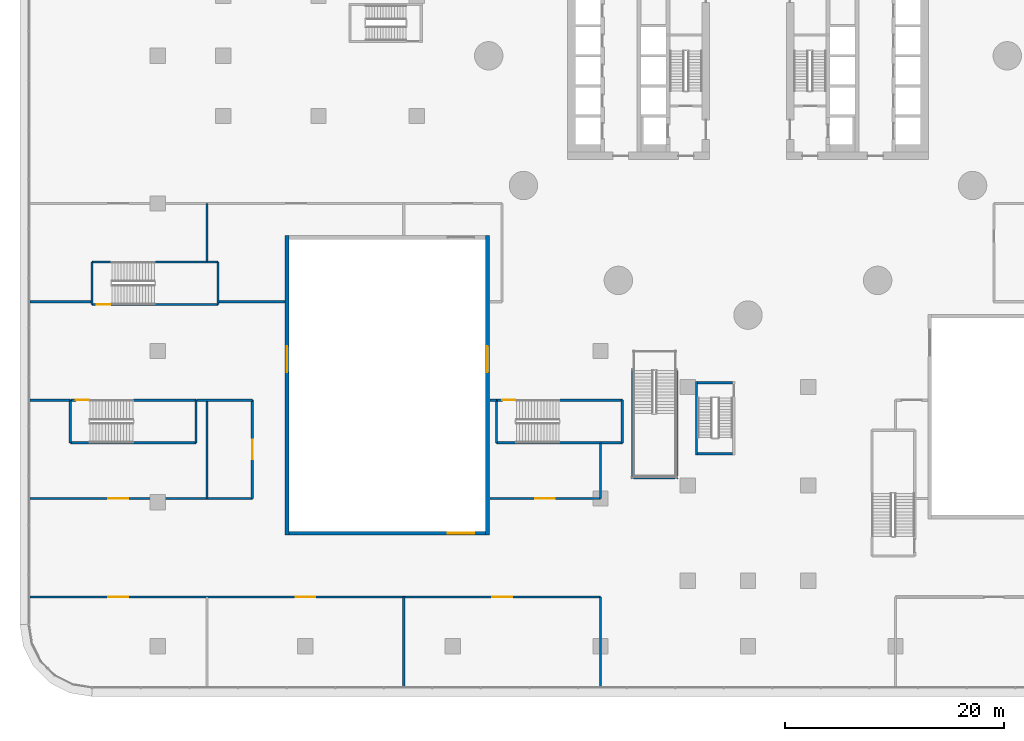
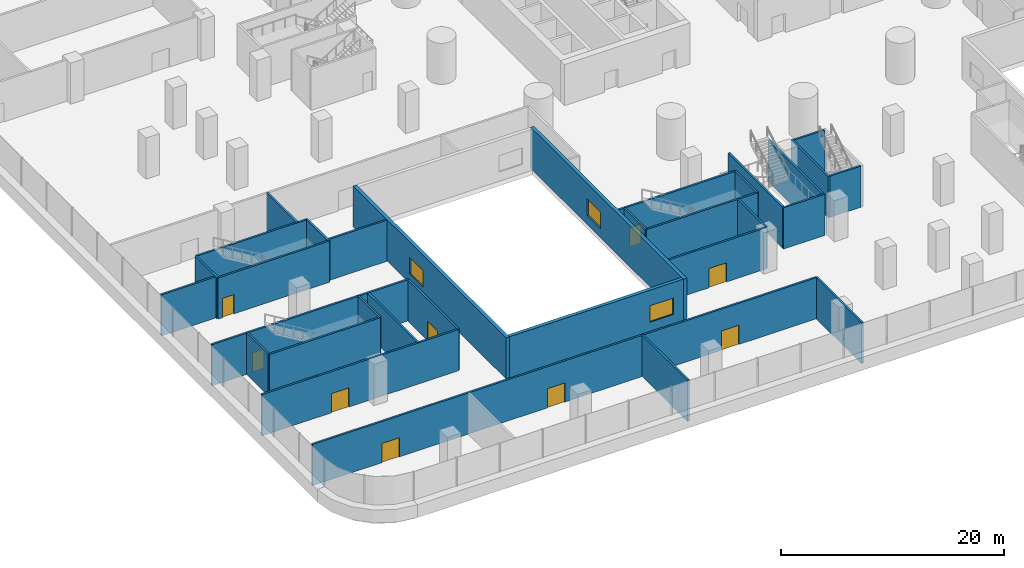
# One storey, part 24 of 44: 35 walls, 9 doors, 3 windows, 12 openings.
"""IFC4 building model written with IfcOpenShell, lengths in metres."""

from ifc_helpers import new_model, si_unit, direction, frame, frame_2d, origin, place, context, subcontext, project, spatial, polyline, rectangle, outline, extrude, material, layer, layer_set, type_object, element, fill, save


model = new_model("IFC4")

# Units and contexts
model_context = context("Model", 3, precision=1e-05, world=origin(), true_north=direction((0.0, 1.0)))
body_context = subcontext(model_context, "Body", "Model", "MODEL_VIEW")
ifc_project = project(units=[si_unit("LENGTHUNIT", "METRE"), si_unit("AREAUNIT", "SQUARE_METRE"), si_unit("VOLUMEUNIT", "CUBIC_METRE"), si_unit("PLANEANGLEUNIT", "RADIAN"), si_unit("MASSUNIT", "GRAM", prefix="KILO")], contexts=[model_context])

# Site, building, storey
site_placement = place(None, origin())
site = spatial("IfcSite", under=ifc_project, at=site_placement, CompositionType="ELEMENT")
building_placement = place(site_placement, origin())
building = spatial("IfcBuilding", under=site, at=building_placement, Name="Tamarind Cross Interchange Tower", CompositionType="ELEMENT")
storey_placement = place(building_placement, frame((0.0, 0.0, 15.0)))
storey = spatial("IfcBuildingStorey", under=building, at=storey_placement, Name="L02", CompositionType="ELEMENT", Elevation=15.0)

# Wall, openings, doors
ifc_material_1 = material(Name="Masonry partition, fire-rated", Category="masonry")
ifc_layer_1 = layer(ifc_material_1, 0.199951171875)
ifc_layer_set_1 = layer_set([ifc_layer_1], Name="Masonry partition, fire-rated")
wall_type_1 = type_object("IfcWallType", Name="Fire partition 200 EI 120", PredefinedType="PARTITIONING", material=ifc_layer_set_1)
wall_1_placement = place(storey_placement, frame((-65.698974609375, -49.5, 0.0), z_axis=(0.0, 0.0, 1.0), x_axis=(1.0, 0.0, 0.0)))
wall_1 = element("IfcWall", 1, at=wall_1_placement, inside=storey, type_object=wall_type_1, Name="L02 partition 49", PredefinedType="PARTITIONING", context=body_context, shape_type="SweptSolid", body=[
    extrude(rectangle(XDim=52.198974609375, YDim=0.199951171875, at=frame_2d((26.099609375, 0.0))), origin(), (0.0, 0.0, 1.0), 4.5),
])
opening_1_placement = place(wall_1_placement, frame((42.30908203125, 0.0, 0.0)))
opening_1 = element("IfcOpeningElement", 2, at=opening_1_placement, cuts=wall_1, Name="Opening DL02-36", PredefinedType="OPENING", context=body_context, shape_type="SweptSolid", body=[
    extrude(rectangle(XDim=1.800048828125, YDim=2.10009765625, at=frame_2d((0.89990234375, 1.050048828125))), frame((0.0, 0.10986328125, 0.0), z_axis=(0.0, -1.0, 0.0), x_axis=(1.0, 0.0, 0.0)), (0.0, 0.0, 1.0), 0.219970703125),
])
opening_2_placement = place(wall_1_placement, frame((24.30908203125, 0.0, 0.0)))
opening_2 = element("IfcOpeningElement", 3, at=opening_2_placement, cuts=wall_1, Name="Opening DL02-37", PredefinedType="OPENING", context=body_context, shape_type="SweptSolid", body=[
    extrude(rectangle(XDim=1.800048828125, YDim=2.10009765625, at=frame_2d((0.89990234375, 1.050048828125))), frame((0.0, 0.10986328125, 0.0), z_axis=(0.0, -1.0, 0.0), x_axis=(1.0, 0.0, 0.0)), (0.0, 0.0, 1.0), 0.219970703125),
])
opening_3_placement = place(wall_1_placement, frame((7.18896484375, 0.0, 0.0)))
opening_3 = element("IfcOpeningElement", 4, at=opening_3_placement, cuts=wall_1, Name="Opening DL02-38", PredefinedType="OPENING", context=body_context, shape_type="SweptSolid", body=[
    extrude(rectangle(XDim=1.800048828125, YDim=2.10009765625, at=frame_2d((0.89990234375, 1.050048828125))), frame((0.0, 0.10986328125, 0.0), z_axis=(0.0, -1.0, 0.0), x_axis=(1.0, 0.0, 0.0)), (0.0, 0.0, 1.0), 0.219970703125),
])
ifc_material_2 = material(Name="Steel, fire-resisting", Category="steel")
door_type_1 = type_object("IfcDoorType", Name="Podium door 1800 x 2100 FD60", OperationType="SINGLE_SWING_LEFT", PredefinedType="DOOR", material=ifc_material_2)
door_1_placement = place(opening_1_placement, origin())
door_1 = element("IfcDoor", 5, at=door_1_placement, inside=storey, type_object=door_type_1, Name="L02 door Restaurant 0222", OperationType="SINGLE_SWING_RIGHT", OverallHeight=2.10009765625, OverallWidth=1.800048828125, PredefinedType="DOOR", context=body_context, shape_type="SweptSolid", body=[
    extrude(rectangle(XDim=1.800048828125, YDim=2.10009765625, at=frame_2d((0.89990234375, 1.050048828125))), frame((0.0, 0.02490234375, 0.0), z_axis=(0.0, -1.0, 0.0), x_axis=(1.0, 0.0, 0.0)), (0.0, 0.0, 1.0), 0.050048828125),
])
fill(opening_1, door_1)
door_2_placement = place(opening_2_placement, origin())
door_2 = element("IfcDoor", 6, at=door_2_placement, inside=storey, type_object=door_type_1, Name="L02 door Tea House 0223", OperationType="SINGLE_SWING_LEFT", OverallHeight=2.10009765625, OverallWidth=1.800048828125, PredefinedType="DOOR", context=body_context, shape_type="SweptSolid", body=[
    extrude(rectangle(XDim=1.800048828125, YDim=2.10009765625, at=frame_2d((0.89990234375, 1.050048828125))), frame((0.0, 0.02490234375, 0.0), z_axis=(0.0, -1.0, 0.0), x_axis=(1.0, 0.0, 0.0)), (0.0, 0.0, 1.0), 0.050048828125),
])
fill(opening_2, door_2)
door_3_placement = place(opening_3_placement, origin())
door_3 = element("IfcDoor", 7, at=door_3_placement, inside=storey, type_object=door_type_1, Name="L02 door Juice Bar 0224", OperationType="SINGLE_SWING_RIGHT", OverallHeight=2.10009765625, OverallWidth=1.800048828125, PredefinedType="DOOR", context=body_context, shape_type="SweptSolid", body=[
    extrude(rectangle(XDim=1.800048828125, YDim=2.10009765625, at=frame_2d((0.89990234375, 1.050048828125))), frame((0.0, 0.02490234375, 0.0), z_axis=(0.0, -1.0, 0.0), x_axis=(1.0, 0.0, 0.0)), (0.0, 0.0, 1.0), 0.050048828125),
])
fill(opening_3, door_3)

# Wall, opening, door
wall_2_placement = place(storey_placement, frame((-65.698974609375, -40.5, 0.0), z_axis=(0.0, 0.0, 1.0), x_axis=(1.0, 0.0, 0.0)))
wall_2 = element("IfcWall", 8, at=wall_2_placement, inside=storey, type_object=wall_type_1, Name="L02 partition 50", PredefinedType="PARTITIONING", context=body_context, shape_type="SweptSolid", body=[
    extrude(rectangle(XDim=20.348876953125, YDim=0.199951171875, at=frame_2d((10.17431640625, 0.0))), origin(), (0.0, 0.0, 1.0), 4.5),
])
opening_4_placement = place(wall_2_placement, frame((7.18896484375, 0.0, 0.0)))
opening_4 = element("IfcOpeningElement", 9, at=opening_4_placement, cuts=wall_2, Name="Opening DL02-35", PredefinedType="OPENING", context=body_context, shape_type="SweptSolid", body=[
    extrude(rectangle(XDim=1.800048828125, YDim=2.10009765625, at=frame_2d((0.89990234375, 1.050048828125))), frame((0.0, 0.10986328125, 0.0), z_axis=(0.0, -1.0, 0.0), x_axis=(1.0, 0.0, 0.0)), (0.0, 0.0, 1.0), 0.219970703125),
])
door_4_placement = place(opening_4_placement, origin())
door_4 = element("IfcDoor", 10, at=door_4_placement, inside=storey, type_object=door_type_1, Name="L02 door Noodle Bar 0221", OperationType="SINGLE_SWING_LEFT", OverallHeight=2.10009765625, OverallWidth=1.800048828125, PredefinedType="DOOR", context=body_context, shape_type="SweptSolid", body=[
    extrude(rectangle(XDim=1.800048828125, YDim=2.10009765625, at=frame_2d((0.89990234375, 1.050048828125))), frame((0.0, 0.02490234375, 0.0), z_axis=(0.0, -1.0, 0.0), x_axis=(1.0, 0.0, 0.0)), (0.0, 0.0, 1.0), 0.050048828125),
])
fill(opening_4, door_4)

# Walls
wall_3_placement = place(storey_placement, frame((-65.698974609375, -31.5, 0.0), z_axis=(0.0, 0.0, 1.0), x_axis=(1.0, 0.0, 0.0)))
element("IfcWall", 11, at=wall_3_placement, inside=storey, type_object=wall_type_1, Name="L02 partition 51", PredefinedType="PARTITIONING", context=body_context, shape_type="SweptSolid", body=[
    extrude(rectangle(XDim=3.6689453125, YDim=0.199951171875, at=frame_2d((1.83447265625, 0.0))), origin(), (0.0, 0.0, 1.0), 4.5),
])
wall_4_placement = place(storey_placement, frame((-65.698974609375, -22.5, 0.0), z_axis=(0.0, 0.0, 1.0), x_axis=(1.0, 0.0, 0.0)))
element("IfcWall", 12, at=wall_4_placement, inside=storey, type_object=wall_type_1, Name="L02 partition 52", PredefinedType="PARTITIONING", context=body_context, shape_type="SweptSolid", body=[
    extrude(rectangle(XDim=5.6689453125, YDim=0.199951171875, at=frame_2d((2.83447265625, 0.0))), origin(), (0.0, 0.0, 1.0), 4.5),
])
wall_5_placement = place(storey_placement, frame((-50.469970703125, -31.5, 0.0), z_axis=(0.0, 0.0, 1.0), x_axis=(1.0, 0.0, 0.0)))
element("IfcWall", 13, at=wall_5_placement, inside=storey, type_object=wall_type_1, Name="L02 partition 62", PredefinedType="PARTITIONING", context=body_context, shape_type="SweptSolid", body=[
    extrude(rectangle(XDim=5.119873046875, YDim=0.199951171875, at=frame_2d((2.56005859375, 0.0))), origin(), (0.0, 0.0, 1.0), 4.5),
])

# Wall, opening, door
wall_6_placement = place(storey_placement, frame((-45.35009765625, -40.5, 0.0), z_axis=(0.0, 0.0, 1.0), x_axis=(0.0, 1.0, 0.0)))
wall_6 = element("IfcWall", 14, at=wall_6_placement, inside=storey, type_object=wall_type_1, Name="L02 partition 64", PredefinedType="PARTITIONING", context=body_context, shape_type="SweptSolid", body=[
    extrude(rectangle(XDim=9.0, YDim=0.199951171875, at=frame_2d((4.5, 0.0))), origin(), (0.0, 0.0, 1.0), 4.5),
])
opening_5_placement = place(wall_6_placement, frame((3.60009765625, 0.0, 0.0)))
opening_5 = element("IfcOpeningElement", 15, at=opening_5_placement, cuts=wall_6, Name="Opening DL02-39", PredefinedType="OPENING", context=body_context, shape_type="SweptSolid", body=[
    extrude(rectangle(XDim=1.800048828125, YDim=2.10009765625, at=frame_2d((0.89990234375, 1.050048828125))), frame((0.0, 0.10986328125, 0.0), z_axis=(0.0, -1.0, 0.0), x_axis=(1.0, 0.0, 0.0)), (0.0, 0.0, 1.0), 0.219970703125),
])
door_type_2 = type_object("IfcDoorType", Name="Podium door 1800 x 2100 FD90", OperationType="SINGLE_SWING_LEFT", PredefinedType="DOOR", material=ifc_material_2)
door_5_placement = place(opening_5_placement, origin())
door_5 = element("IfcDoor", 16, at=door_5_placement, inside=storey, type_object=door_type_2, Name="L02 door Food Hall Kitchen 0220", OperationType="SINGLE_SWING_LEFT", OverallHeight=2.10009765625, OverallWidth=1.800048828125, PredefinedType="DOOR", context=body_context, shape_type="SweptSolid", body=[
    extrude(rectangle(XDim=1.800048828125, YDim=2.10009765625, at=frame_2d((0.89990234375, 1.050048828125))), frame((0.0, 0.02490234375, 0.0), z_axis=(0.0, -1.0, 0.0), x_axis=(1.0, 0.0, 0.0)), (0.0, 0.0, 1.0), 0.050048828125),
])
fill(opening_5, door_5)

# Walls
wall_7_placement = place(storey_placement, frame((-49.5, -40.5, 0.0), z_axis=(0.0, 0.0, 1.0), x_axis=(0.0, 1.0, 0.0)))
element("IfcWall", 17, at=wall_7_placement, inside=storey, type_object=wall_type_1, Name="L02 partition 65", PredefinedType="PARTITIONING", context=body_context, shape_type="SweptSolid", body=[
    extrude(rectangle(XDim=9.0, YDim=0.199951171875, at=frame_2d((4.5, 0.0))), origin(), (0.0, 0.0, 1.0), 4.5),
])
wall_8_placement = place(storey_placement, frame((-49.5, -18.820068359375, 0.0), z_axis=(0.0, 0.0, 1.0), x_axis=(0.0, 1.0, 0.0)))
element("IfcWall", 18, at=wall_8_placement, inside=storey, type_object=wall_type_1, Name="L02 partition 66", PredefinedType="PARTITIONING", context=body_context, shape_type="SweptSolid", body=[
    extrude(rectangle(XDim=5.320068359375, YDim=0.199951171875, at=frame_2d((2.66015625, 0.0))), origin(), (0.0, 0.0, 1.0), 4.5),
])
wall_9_placement = place(storey_placement, frame((-48.469970703125, -22.5, 0.0), z_axis=(0.0, 0.0, 1.0), x_axis=(1.0, 0.0, 0.0)))
element("IfcWall", 19, at=wall_9_placement, inside=storey, type_object=wall_type_1, Name="L02 partition 67", PredefinedType="PARTITIONING", context=body_context, shape_type="SweptSolid", body=[
    extrude(rectangle(XDim=6.090087890625, YDim=0.199951171875, at=frame_2d((3.044921875, 0.0))), origin(), (0.0, 0.0, 1.0), 4.5),
])
for number, where, z_axis, x_axis, name in (
    (20, (-31.5, -57.698974609375, 0.0), (0.0, 0.0, 1.0), (0.0, 1.0, 0.0), "L02 partition 70"),
    (21, (-13.5, -57.698974609375, 0.0), (0.0, 0.0, 1.0), (0.0, 1.0, 0.0), "L02 partition 71"),
):
    element("IfcWall", number, at=place(storey_placement, frame(where, z_axis=z_axis, x_axis=x_axis)), inside=storey, type_object=wall_type_1, Name=name, PredefinedType="PARTITIONING", context=body_context, shape_type="SweptSolid", body=[
        extrude(rectangle(XDim=8.198974609375, YDim=0.199951171875, at=frame_2d((4.099609375, 0.0))), origin(), (0.0, 0.0, 1.0), 4.5),
    ])
wall_10_placement = place(storey_placement, frame((-13.5, -40.5, 0.0), z_axis=(0.0, 0.0, 1.0), x_axis=(0.0, 1.0, 0.0)))
element("IfcWall", 22, at=wall_10_placement, inside=storey, type_object=wall_type_1, Name="L02 partition 81", PredefinedType="PARTITIONING", context=body_context, shape_type="SweptSolid", body=[
    extrude(rectangle(XDim=5.070068359375, YDim=0.199951171875, at=frame_2d((2.53515625, 0.0))), origin(), (0.0, 0.0, 1.0), 4.5),
])

# Wall, opening, door
wall_11_placement = place(storey_placement, frame((-23.6201171875, -40.5, 0.0), z_axis=(0.0, 0.0, 1.0), x_axis=(1.0, 0.0, 0.0)))
wall_11 = element("IfcWall", 23, at=wall_11_placement, inside=storey, type_object=wall_type_1, Name="L02 partition 82", PredefinedType="PARTITIONING", context=body_context, shape_type="SweptSolid", body=[
    extrude(rectangle(XDim=10.1201171875, YDim=0.199951171875, at=frame_2d((5.06005859375, 0.0))), origin(), (0.0, 0.0, 1.0), 4.5),
])
opening_6_placement = place(wall_11_placement, frame((4.14501953125, 0.0, 0.0)))
opening_6 = element("IfcOpeningElement", 24, at=opening_6_placement, cuts=wall_11, Name="Opening DL02-34", PredefinedType="OPENING", context=body_context, shape_type="SweptSolid", body=[
    extrude(rectangle(XDim=1.800048828125, YDim=2.10009765625, at=frame_2d((0.89990234375, 1.050048828125))), frame((0.0, 0.10986328125, 0.0), z_axis=(0.0, -1.0, 0.0), x_axis=(1.0, 0.0, 0.0)), (0.0, 0.0, 1.0), 0.219970703125),
])
door_6_placement = place(opening_6_placement, origin())
door_6 = element("IfcDoor", 25, at=door_6_placement, inside=storey, type_object=door_type_1, Name="L02 door Dumpling Restaurant 0219", OperationType="SINGLE_SWING_RIGHT", OverallHeight=2.10009765625, OverallWidth=1.800048828125, PredefinedType="DOOR", context=body_context, shape_type="SweptSolid", body=[
    extrude(rectangle(XDim=1.800048828125, YDim=2.10009765625, at=frame_2d((0.89990234375, 1.050048828125))), frame((0.0, 0.02490234375, 0.0), z_axis=(0.0, -1.0, 0.0), x_axis=(1.0, 0.0, 0.0)), (0.0, 0.0, 1.0), 0.050048828125),
])
fill(opening_6, door_6)

# Wall
wall_12_placement = place(storey_placement, frame((-23.6201171875, -31.5, 0.0), z_axis=(0.0, 0.0, 1.0), x_axis=(1.0, 0.0, 0.0)))
element("IfcWall", 26, at=wall_12_placement, inside=storey, type_object=wall_type_1, Name="L02 partition 83", PredefinedType="PARTITIONING", context=body_context, shape_type="SweptSolid", body=[
    extrude(rectangle(XDim=0.590087890625, YDim=0.199951171875, at=frame_2d((0.294921875, 0.0))), origin(), (0.0, 0.0, 1.0), 4.5),
])

# Wall, opening, window
ifc_material_3 = material(Name="Precast concrete C40", Category="concrete")
ifc_layer_2 = layer(ifc_material_3, 0.35009765625)
ifc_layer_set_2 = layer_set([ifc_layer_2], Name="Precast concrete C40")
wall_type_2 = type_object("IfcWallType", Name="Podium facade wall", PredefinedType="SOLIDWALL", material=ifc_layer_set_2)
wall_13_placement = place(storey_placement, frame((-42.0, -43.675048828125, 0.0), z_axis=(0.0, 0.0, 1.0), x_axis=(1.0, 0.0, 0.0)))
wall_13 = element("IfcWall", 27, at=wall_13_placement, inside=storey, type_object=wall_type_2, Name="CTW-L02-SWS00", PredefinedType="SOLIDWALL", context=body_context, shape_type="SweptSolid", body=[
    extrude(rectangle(XDim=18.0, YDim=0.35009765625, at=frame_2d((9.0, 0.0))), origin(), (0.0, 0.0, 1.0), 4.5),
])
opening_7_placement = place(wall_13_placement, frame((14.550048828125, 0.0, 1.0)))
opening_7 = element("IfcOpeningElement", 28, at=opening_7_placement, cuts=wall_13, Name="Opening W4", PredefinedType="OPENING", context=body_context, shape_type="SweptSolid", body=[
    extrude(rectangle(XDim=2.39990234375, YDim=1.800048828125, at=frame_2d((1.199951171875, 0.89990234375))), frame((0.0, 0.18505859375, 0.0), z_axis=(0.0, -1.0, 0.0), x_axis=(1.0, 0.0, 0.0)), (0.0, 0.0, 1.0), 0.3701171875),
])
ifc_material_4 = material(Name="Aluminium and toughened glass", Category="aluminium")
window_type = type_object("IfcWindowType", Name="Podium daylight window", PartitioningType="SINGLE_PANEL", PredefinedType="WINDOW", material=ifc_material_4)
window_1_placement = place(opening_7_placement, origin())
window_1 = element("IfcWindow", 29, at=window_1_placement, inside=storey, type_object=window_type, Name="CTX-L02-SWS-01-00", OverallHeight=1.800048828125, OverallWidth=2.39990234375, PartitioningType="SINGLE_PANEL", PredefinedType="WINDOW", context=body_context, shape_type="SweptSolid", body=[
    extrude(rectangle(XDim=2.39990234375, YDim=1.800048828125, at=frame_2d((1.199951171875, 0.89990234375))), frame((0.0, 0.030029296875, 0.0), z_axis=(0.0, -1.0, 0.0), x_axis=(1.0, 0.0, 0.0)), (0.0, 0.0, 1.0), 0.06005859375),
])
fill(opening_7, window_1)

wall_14_placement = place(storey_placement, frame((-42.175048828125, -43.85009765625, 0.0), z_axis=(0.0, 0.0, 1.0), x_axis=(0.0, 1.0, 0.0)))
wall_14 = element("IfcWall", 30, at=wall_14_placement, inside=storey, type_object=wall_type_2, Name="CTW-L02-SWW00", PredefinedType="SOLIDWALL", context=body_context, shape_type="SweptSolid", body=[
    extrude(rectangle(XDim=27.400146484375, YDim=0.35009765625, at=frame_2d((13.7001953125, 0.0))), origin(), (0.0, 0.0, 1.0), 4.5),
])
opening_8_placement = place(wall_14_placement, frame((14.89990234375, 0.0, 1.0)))
opening_8 = element("IfcOpeningElement", 31, at=opening_8_placement, cuts=wall_14, Name="Opening W4", PredefinedType="OPENING", context=body_context, shape_type="SweptSolid", body=[
    extrude(rectangle(XDim=2.39990234375, YDim=1.800048828125, at=frame_2d((1.199951171875, 0.89990234375))), frame((0.0, 0.18505859375, 0.0), z_axis=(0.0, -1.0, 0.0), x_axis=(1.0, 0.0, 0.0)), (0.0, 0.0, 1.0), 0.3701171875),
])
window_2_placement = place(opening_8_placement, origin())
window_2 = element("IfcWindow", 32, at=window_2_placement, inside=storey, type_object=window_type, Name="CTX-L02-SWW-01-00", OverallHeight=1.800048828125, OverallWidth=2.39990234375, PartitioningType="SINGLE_PANEL", PredefinedType="WINDOW", context=body_context, shape_type="SweptSolid", body=[
    extrude(rectangle(XDim=2.39990234375, YDim=1.800048828125, at=frame_2d((1.199951171875, 0.89990234375))), frame((0.0, 0.030029296875, 0.0), z_axis=(0.0, -1.0, 0.0), x_axis=(1.0, 0.0, 0.0)), (0.0, 0.0, 1.0), 0.06005859375),
])
fill(opening_8, window_2)

wall_15_placement = place(storey_placement, frame((-23.824951171875, -43.85009765625, 0.0), z_axis=(0.0, 0.0, 1.0), x_axis=(0.0, 1.0, 0.0)))
wall_15 = element("IfcWall", 33, at=wall_15_placement, inside=storey, type_object=wall_type_2, Name="CTW-L02-SWE00", PredefinedType="SOLIDWALL", context=body_context, shape_type="SweptSolid", body=[
    extrude(rectangle(XDim=27.400146484375, YDim=0.35009765625, at=frame_2d((13.7001953125, 0.0))), origin(), (0.0, 0.0, 1.0), 4.5),
])
opening_9_placement = place(wall_15_placement, frame((14.89990234375, 0.0, 1.0)))
opening_9 = element("IfcOpeningElement", 34, at=opening_9_placement, cuts=wall_15, Name="Opening W4", PredefinedType="OPENING", context=body_context, shape_type="SweptSolid", body=[
    extrude(rectangle(XDim=2.39990234375, YDim=1.800048828125, at=frame_2d((1.199951171875, 0.89990234375))), frame((0.0, 0.18505859375, 0.0), z_axis=(0.0, -1.0, 0.0), x_axis=(1.0, 0.0, 0.0)), (0.0, 0.0, 1.0), 0.3701171875),
])
window_3_placement = place(opening_9_placement, origin())
window_3 = element("IfcWindow", 35, at=window_3_placement, inside=storey, type_object=window_type, Name="CTX-L02-SWE-01-00", OverallHeight=1.800048828125, OverallWidth=2.39990234375, PartitioningType="SINGLE_PANEL", PredefinedType="WINDOW", context=body_context, shape_type="SweptSolid", body=[
    extrude(rectangle(XDim=2.39990234375, YDim=1.800048828125, at=frame_2d((1.199951171875, 0.89990234375))), frame((0.0, 0.030029296875, 0.0), z_axis=(0.0, -1.0, 0.0), x_axis=(1.0, 0.0, 0.0)), (0.0, 0.0, 1.0), 0.06005859375),
])
fill(opening_9, window_3)

# Walls
ifc_material_5 = material(Name="Concrete C40", Category="concrete")
ifc_layer_3 = layer(ifc_material_5, 0.199951171875)
ifc_layer_set_3 = layer_set([ifc_layer_3], Name="Concrete C40")
wall_type_3 = type_object("IfcWallType", Name="Stair shaft wall 200", PredefinedType="SOLIDWALL", material=ifc_layer_set_3)
for number, where, z_axis, x_axis, name in (
    (36, (-10.60009765625, -28.800048828125, 0.0), (0.0, 0.0, 1.0), (0.0, -1.0, 0.0), "public stair PS-S shaft wall L"),
    (37, (-6.5, -28.800048828125, 0.0), (0.0, 0.0, 1.0), (0.0, -1.0, 0.0), "public stair PS-S shaft wall R"),
):
    element("IfcWall", number, at=place(storey_placement, frame(where, z_axis=z_axis, x_axis=x_axis)), inside=storey, type_object=wall_type_3, Name=name, PredefinedType="SOLIDWALL", context=body_context, shape_type="SweptSolid", body=[
        extrude(rectangle(XDim=9.699951171875, YDim=0.199951171875, at=frame_2d((4.85009765625, 0.0))), origin(), (0.0, 0.0, 1.0), 4.5),
    ])
wall_16_placement = place(storey_placement, frame((-10.699951171875, -38.60009765625, 0.0), z_axis=(0.0, 0.0, 1.0), x_axis=(1.0, 0.0, 0.0)))
element("IfcWall", 38, at=wall_16_placement, inside=storey, type_object=wall_type_3, Name="public stair PS-S shaft wall F", PredefinedType="SOLIDWALL", context=body_context, shape_type="SweptSolid", body=[
    extrude(rectangle(XDim=4.300048828125, YDim=0.199951171875, at=frame_2d((2.14990234375, 0.0))), origin(), (0.0, 0.0, 1.0), 4.5),
])

# Wall, opening, door
ifc_layer_4 = layer(ifc_material_5, 0.199951171875)
ifc_layer_set_4 = layer_set([ifc_layer_4], Name="Concrete C40")
wall_type_4 = type_object("IfcWallType", Name="Stair shaft wall 200 EI 180", PredefinedType="PARTITIONING", material=ifc_layer_set_4)
wall_17_placement = place(storey_placement, frame((-62.0, -31.5, 0.0), z_axis=(0.0, 0.0, 1.0), x_axis=(1.0, 0.0, 0.0)))
wall_17 = element("IfcWall", 39, at=wall_17_placement, inside=storey, type_object=wall_type_4, Name="L02 stair shaft wall 5", PredefinedType="PARTITIONING", context=body_context, shape_type="SweptSolid", body=[
    extrude(rectangle(XDim=11.5, YDim=0.199951171875, at=frame_2d((5.75, 0.0))), origin(), (0.0, 0.0, 1.0), 4.5),
])
opening_10_placement = place(wall_17_placement, frame((0.52001953125, 0.0, 0.0)))
opening_10 = element("IfcOpeningElement", 40, at=opening_10_placement, cuts=wall_17, Name="Opening DL02-07", PredefinedType="OPENING", context=body_context, shape_type="SweptSolid", body=[
    extrude(rectangle(XDim=1.199951171875, YDim=2.10009765625, at=frame_2d((0.60009765625, 1.050048828125))), frame((0.0, 0.10986328125, 0.0), z_axis=(0.0, -1.0, 0.0), x_axis=(1.0, 0.0, 0.0)), (0.0, 0.0, 1.0), 0.219970703125),
])
door_type_3 = type_object("IfcDoorType", Name="Podium door 1200 x 2100 FD90", OperationType="SINGLE_SWING_LEFT", PredefinedType="DOOR", material=ifc_material_2)
door_7_placement = place(opening_10_placement, origin())
door_7 = element("IfcDoor", 41, at=door_7_placement, inside=storey, type_object=door_type_3, Name="L02 door Exit Stair PX7", OperationType="SINGLE_SWING_LEFT", OverallHeight=2.10009765625, OverallWidth=1.199951171875, PredefinedType="DOOR", context=body_context, shape_type="SweptSolid", body=[
    extrude(rectangle(XDim=1.199951171875, YDim=2.10009765625, at=frame_2d((0.60009765625, 1.050048828125))), frame((0.0, 0.02490234375, 0.0), z_axis=(0.0, -1.0, 0.0), x_axis=(1.0, 0.0, 0.0)), (0.0, 0.0, 1.0), 0.050048828125),
])
fill(opening_10, door_7)

# Walls
wall_18_placement = place(storey_placement, frame((-50.5, -35.39990234375, 0.0), z_axis=(0.0, 0.0, 1.0), x_axis=(0.0, 1.0, 0.0)))
element("IfcWall", 42, at=wall_18_placement, inside=storey, type_object=wall_type_4, Name="L02 stair shaft wall 6", PredefinedType="PARTITIONING", context=body_context, shape_type="SweptSolid", body=[
    extrude(rectangle(XDim=3.89990234375, YDim=0.199951171875, at=frame_2d((1.949951171875, 0.0))), origin(), (0.0, 0.0, 1.0), 4.5),
])
wall_19_placement = place(storey_placement, frame((-62.0, -35.39990234375, 0.0), z_axis=(0.0, 0.0, 1.0), x_axis=(1.0, 0.0, 0.0)))
element("IfcWall", 43, at=wall_19_placement, inside=storey, type_object=wall_type_4, Name="L02 stair shaft wall 7", PredefinedType="PARTITIONING", context=body_context, shape_type="SweptSolid", body=[
    extrude(rectangle(XDim=11.5, YDim=0.199951171875, at=frame_2d((5.75, 0.0))), origin(), (0.0, 0.0, 1.0), 4.5),
])
wall_20_placement = place(storey_placement, frame((-62.0, -35.39990234375, 0.0), z_axis=(0.0, 0.0, 1.0), x_axis=(0.0, 1.0, 0.0)))
element("IfcWall", 44, at=wall_20_placement, inside=storey, type_object=wall_type_4, Name="L02 stair shaft wall 8", PredefinedType="PARTITIONING", context=body_context, shape_type="SweptSolid", body=[
    extrude(rectangle(XDim=3.89990234375, YDim=0.199951171875, at=frame_2d((1.949951171875, 0.0))), origin(), (0.0, 0.0, 1.0), 4.5),
])
wall_21_placement = place(storey_placement, frame((-60.0, -18.85009765625, 0.0), z_axis=(0.0, 0.0, 1.0), x_axis=(1.0, 0.0, 0.0)))
element("IfcWall", 45, at=wall_21_placement, inside=storey, type_object=wall_type_4, Name="L02 stair shaft wall 9", PredefinedType="PARTITIONING", context=body_context, shape_type="SweptSolid", body=[
    extrude(rectangle(XDim=11.5, YDim=0.199951171875, at=frame_2d((5.75, 0.0))), origin(), (0.0, 0.0, 1.0), 4.5),
])
wall_22_placement = place(storey_placement, frame((-48.5, -22.75, 0.0), z_axis=(0.0, 0.0, 1.0), x_axis=(0.0, 1.0, 0.0)))
element("IfcWall", 46, at=wall_22_placement, inside=storey, type_object=wall_type_4, Name="L02 stair shaft wall 10", PredefinedType="PARTITIONING", context=body_context, shape_type="SweptSolid", body=[
    extrude(rectangle(XDim=3.89990234375, YDim=0.199951171875, at=frame_2d((1.949951171875, 0.0))), origin(), (0.0, 0.0, 1.0), 4.5),
])

# Wall, opening, door
wall_23_placement = place(storey_placement, frame((-60.0, -22.75, 0.0), z_axis=(0.0, 0.0, 1.0), x_axis=(1.0, 0.0, 0.0)))
wall_23 = element("IfcWall", 47, at=wall_23_placement, inside=storey, type_object=wall_type_4, Name="L02 stair shaft wall 11", PredefinedType="PARTITIONING", context=body_context, shape_type="SweptSolid", body=[
    extrude(rectangle(XDim=11.5, YDim=0.199951171875, at=frame_2d((5.75, 0.0))), origin(), (0.0, 0.0, 1.0), 4.5),
])
opening_11_placement = place(wall_23_placement, frame((0.43896484375, 0.0, 0.0)))
opening_11 = element("IfcOpeningElement", 48, at=opening_11_placement, cuts=wall_23, Name="Opening DL02-08", PredefinedType="OPENING", context=body_context, shape_type="SweptSolid", body=[
    extrude(rectangle(XDim=1.199951171875, YDim=2.10009765625, at=frame_2d((0.60009765625, 1.050048828125))), frame((0.0, 0.10986328125, 0.0), z_axis=(0.0, -1.0, 0.0), x_axis=(1.0, 0.0, 0.0)), (0.0, 0.0, 1.0), 0.219970703125),
])
door_8_placement = place(opening_11_placement, origin())
door_8 = element("IfcDoor", 49, at=door_8_placement, inside=storey, type_object=door_type_3, Name="L02 door Exit Stair PX8", OperationType="SINGLE_SWING_RIGHT", OverallHeight=2.10009765625, OverallWidth=1.199951171875, PredefinedType="DOOR", context=body_context, shape_type="SweptSolid", body=[
    extrude(rectangle(XDim=1.199951171875, YDim=2.10009765625, at=frame_2d((0.60009765625, 1.050048828125))), frame((0.0, 0.02490234375, 0.0), z_axis=(0.0, -1.0, 0.0), x_axis=(1.0, 0.0, 0.0)), (0.0, 0.0, 1.0), 0.050048828125),
])
fill(opening_11, door_8)

# Wall
wall_24_placement = place(storey_placement, frame((-60.0, -22.75, 0.0), z_axis=(0.0, 0.0, 1.0), x_axis=(0.0, 1.0, 0.0)))
element("IfcWall", 50, at=wall_24_placement, inside=storey, type_object=wall_type_4, Name="L02 stair shaft wall 12", PredefinedType="PARTITIONING", context=body_context, shape_type="SweptSolid", body=[
    extrude(rectangle(XDim=3.89990234375, YDim=0.199951171875, at=frame_2d((1.949951171875, 0.0))), origin(), (0.0, 0.0, 1.0), 4.5),
])

# Wall, opening, door
wall_25_placement = place(storey_placement, frame((-23.0, -31.5, 0.0), z_axis=(0.0, 0.0, 1.0), x_axis=(1.0, 0.0, 0.0)))
wall_25 = element("IfcWall", 51, at=wall_25_placement, inside=storey, type_object=wall_type_4, Name="L02 stair shaft wall 17", PredefinedType="PARTITIONING", context=body_context, shape_type="SweptSolid", body=[
    extrude(rectangle(XDim=11.5, YDim=0.199951171875, at=frame_2d((5.75, 0.0))), origin(), (0.0, 0.0, 1.0), 4.5),
])
opening_12_placement = place(wall_25_placement, frame((0.52001953125, 0.0, 0.0)))
opening_12 = element("IfcOpeningElement", 52, at=opening_12_placement, cuts=wall_25, Name="Opening DL02-09", PredefinedType="OPENING", context=body_context, shape_type="SweptSolid", body=[
    extrude(rectangle(XDim=1.199951171875, YDim=2.10009765625, at=frame_2d((0.60009765625, 1.050048828125))), frame((0.0, 0.10986328125, 0.0), z_axis=(0.0, -1.0, 0.0), x_axis=(1.0, 0.0, 0.0)), (0.0, 0.0, 1.0), 0.219970703125),
])
door_9_placement = place(opening_12_placement, origin())
door_9 = element("IfcDoor", 53, at=door_9_placement, inside=storey, type_object=door_type_3, Name="L02 door Exit Stair PX9", OperationType="SINGLE_SWING_LEFT", OverallHeight=2.10009765625, OverallWidth=1.199951171875, PredefinedType="DOOR", context=body_context, shape_type="SweptSolid", body=[
    extrude(rectangle(XDim=1.199951171875, YDim=2.10009765625, at=frame_2d((0.60009765625, 1.050048828125))), frame((0.0, 0.02490234375, 0.0), z_axis=(0.0, -1.0, 0.0), x_axis=(1.0, 0.0, 0.0)), (0.0, 0.0, 1.0), 0.050048828125),
])
fill(opening_12, door_9)

# Walls
wall_26_placement = place(storey_placement, frame((-11.5, -35.39990234375, 0.0), z_axis=(0.0, 0.0, 1.0), x_axis=(0.0, 1.0, 0.0)))
element("IfcWall", 54, at=wall_26_placement, inside=storey, type_object=wall_type_4, Name="L02 stair shaft wall 18", PredefinedType="PARTITIONING", context=body_context, shape_type="SweptSolid", body=[
    extrude(rectangle(XDim=3.89990234375, YDim=0.199951171875, at=frame_2d((1.949951171875, 0.0))), origin(), (0.0, 0.0, 1.0), 4.5),
])
wall_27_placement = place(storey_placement, frame((-23.0, -35.39990234375, 0.0), z_axis=(0.0, 0.0, 1.0), x_axis=(1.0, 0.0, 0.0)))
element("IfcWall", 55, at=wall_27_placement, inside=storey, type_object=wall_type_4, Name="L02 stair shaft wall 19", PredefinedType="PARTITIONING", context=body_context, shape_type="SweptSolid", body=[
    extrude(rectangle(XDim=11.5, YDim=0.199951171875, at=frame_2d((5.75, 0.0))), origin(), (0.0, 0.0, 1.0), 4.5),
])
wall_28_placement = place(storey_placement, frame((-23.0, -35.39990234375, 0.0), z_axis=(0.0, 0.0, 1.0), x_axis=(0.0, 1.0, 0.0)))
element("IfcWall", 56, at=wall_28_placement, inside=storey, type_object=wall_type_4, Name="L02 stair shaft wall 20", PredefinedType="PARTITIONING", context=body_context, shape_type="SweptSolid", body=[
    extrude(rectangle(XDim=3.89990234375, YDim=0.199951171875, at=frame_2d((1.949951171875, 0.0))), origin(), (0.0, 0.0, 1.0), 4.5),
])
ifc_layer_5 = layer(ifc_material_5, 0.199951171875)
ifc_layer_set_5 = layer_set([ifc_layer_5], Name="Concrete C40")
wall_type_5 = type_object("IfcWallType", Name="Stair shaft wall 200 mm Concrete C40", PredefinedType="SHEAR", material=ifc_layer_set_5)
wall_29_placement = place(storey_placement, frame((-4.699951171875, -29.800048828125, 0.0), z_axis=(0.0, 0.0, 1.0), x_axis=(0.0, -1.0, 0.0)))
element("IfcWall", 57, at=wall_29_placement, inside=storey, type_object=wall_type_5, Name="Core wall CWL-L02-ST6-C", PredefinedType="SHEAR", context=body_context, shape_type="SweptSolid", body=[
    extrude(rectangle(XDim=6.699951171875, YDim=0.199951171875, at=frame_2d((3.35009765625, 0.0))), origin(), (0.0, 0.0, 1.0), 4.5),
])
wall_30_placement = place(storey_placement, frame((-4.60009765625, -29.89990234375, 0.0), z_axis=(0.0, 0.0, 1.0), x_axis=(1.0, 0.0, 0.0)))
element("IfcWall", 58, at=wall_30_placement, inside=storey, type_object=wall_type_5, Name="Core wall CWL-L02-ST6-CE", PredefinedType="SHEAR", context=body_context, shape_type="SweptSolid", body=[
    extrude(rectangle(XDim=3.2001953125, YDim=0.199951171875, at=frame_2d((1.60009765625, 0.0))), origin(), (0.0, 0.0, 1.0), 4.5),
])
wall_31_placement = place(storey_placement, origin())
element("IfcWall", 59, at=wall_31_placement, inside=storey, type_object=wall_type_5, Name="Core wall CWL-L02-ST6-CF", PredefinedType="SHEAR", context=body_context, shape_type="SweptSolid", body=[
    extrude(outline(polyline([(-4.60009765625, -36.300048828125), (-4.60009765625, -36.5), (-1.39990234375, -36.5), (-1.39990234375, -36.300048828125), (-4.60009765625, -36.300048828125)])), origin(), (0.0, 0.0, 1.0), 4.5),
])

save(model, "model.ifc")
